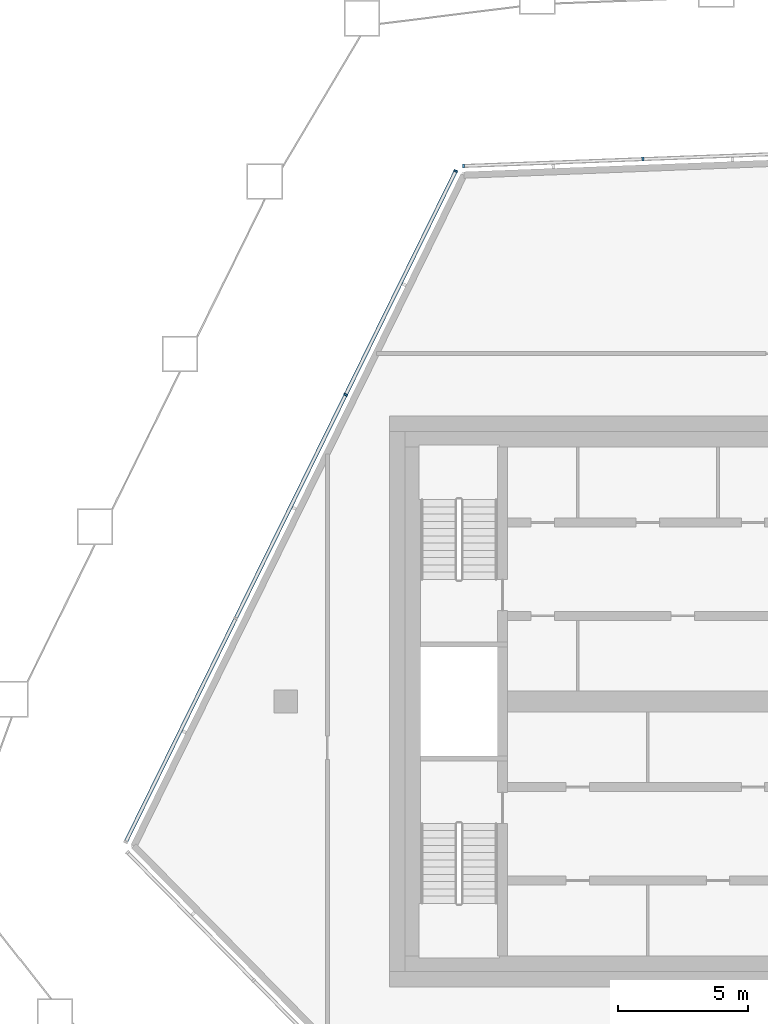
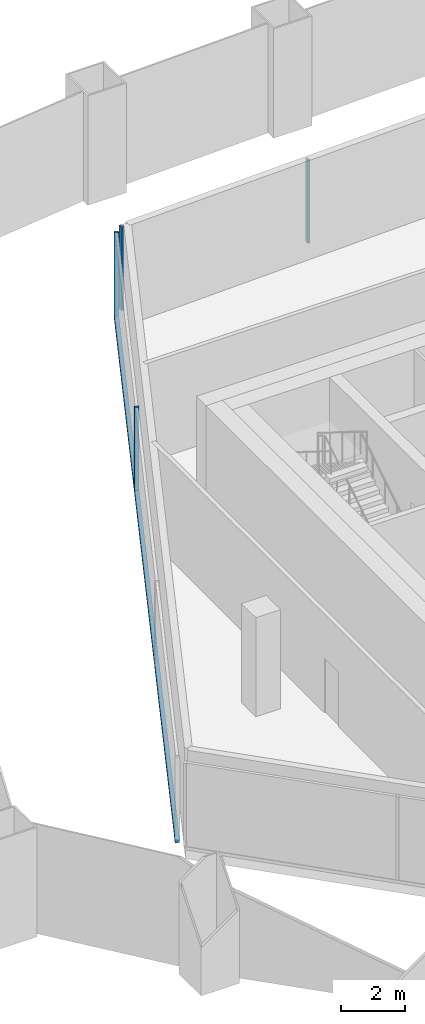
# One storey, part 5 of 18: 5 members, 2 elements without a shape of their own.
"""IFC4 building model written with IfcOpenShell, lengths in metres."""

from ifc_helpers import new_model, si_unit, direction, frame, origin, origin_2d, place, context, subcontext, project, spatial, rectangle, extrude, material, layer, layer_set, material_profile, profile_set, type_object, element, aggregate, save


model = new_model("IFC4")

# Units and contexts
model_context = context("Model", 3, precision=1e-05, world=origin(), true_north=direction((0.0, 1.0)))
body_context = subcontext(model_context, "Body", "Model", "MODEL_VIEW")
ifc_project = project(units=[si_unit("LENGTHUNIT", "METRE"), si_unit("AREAUNIT", "SQUARE_METRE"), si_unit("VOLUMEUNIT", "CUBIC_METRE"), si_unit("PLANEANGLEUNIT", "RADIAN"), si_unit("MASSUNIT", "GRAM", prefix="KILO")], contexts=[model_context])

# Site, building, storey
site_placement = place(None, origin())
site = spatial("IfcSite", under=ifc_project, at=site_placement, CompositionType="ELEMENT")
building_placement = place(site_placement, origin())
building = spatial("IfcBuilding", under=site, at=building_placement, Name="Dongbaek Canopy Tower", CompositionType="ELEMENT")
storey_placement = place(building_placement, frame((0.0, 0.0, 363.199951171875)))
storey = spatial("IfcBuildingStorey", under=building, at=storey_placement, Name="L78", CompositionType="ELEMENT", Elevation=363.199951171875)

# Curtain wall, members
ifc_material_1 = material(Name="Aluminium 6063-T6 pale anodised", Category="aluminium")
ifc_layer = layer(ifc_material_1, 0.14990234375)
ifc_layer_set = layer_set([ifc_layer], Name="CW-7 louvre curtain wall")
curtain_wall_type = type_object("IfcCurtainWallType", Name="CW-7 louvre curtain wall", PredefinedType="NOTDEFINED", material=ifc_layer_set)
curtain_wall_1_placement = place(storey_placement, origin())
curtain_wall_1 = element("IfcCurtainWall", 1, at=curtain_wall_1_placement, inside=storey, type_object=curtain_wall_type, Name="CW-7 louvre wall L78 F3", PredefinedType="NOTDEFINED")
ifc_material_2 = material(Name="Aluminium 6063-T6 pale anodised", Category="aluminium")
ifc_material_profile_1 = material_profile(ifc_material_2, rectangle(XDim=0.14990234375, YDim=0.080078125, at=origin_2d()), Name="CW-7 mullion 80 x 150")
ifc_profile_set_1 = profile_set([ifc_material_profile_1], Name="Aluminium 6063-T6 pale anodised")
member_type_1 = type_object("IfcMemberType", Name="CW-7 mullion 80 x 150", PredefinedType="MULLION", material=ifc_profile_set_1)
member_1_placement = place(storey_placement, frame((-4.24462890625, 20.893798828125, 0.300048828125), z_axis=(0.0, 0.0, 1.0), x_axis=(-0.038231979514, 0.999268890611, 0.0)))
member_1 = element("IfcMember", 2, at=member_1_placement, type_object=member_type_1, Name="CW-7 mullion L78 F3.1.3", PredefinedType="MULLION", context=body_context, shape_type="SweptSolid", body=[
    extrude(rectangle(XDim=0.14990234375, YDim=0.080078125, at=origin_2d()), origin(), (0.0, 0.0, 1.0), 3.199951171875),
])
member_2_placement = place(storey_placement, frame((-11.15185546875, 20.62939453125, 0.300048828125), z_axis=(0.0, 0.0, 1.0), x_axis=(-0.038231979514, 0.999268890611, 0.0)))
member_2 = element("IfcMember", 3, at=member_2_placement, type_object=member_type_1, Name="CW-7 mullion L78 F3.1.4", PredefinedType="MULLION", context=body_context, shape_type="SweptSolid", body=[
    extrude(rectangle(XDim=0.14990234375, YDim=0.080078125, at=origin_2d()), origin(), (0.0, 0.0, 1.0), 3.199951171875),
])
aggregate(curtain_wall_1, [member_1, member_2])

curtain_wall_2_placement = place(storey_placement, origin())
curtain_wall_2 = element("IfcCurtainWall", 4, at=curtain_wall_2_placement, inside=storey, type_object=curtain_wall_type, Name="CW-7 louvre wall L78 F4", PredefinedType="NOTDEFINED")
member_3_placement = place(storey_placement, frame((-11.452392578125, 20.43408203125, 0.300048828125), z_axis=(0.0, 0.0, 1.0), x_axis=(-0.897339163834, 0.441341619439, 0.0)))
member_3 = element("IfcMember", 5, at=member_3_placement, type_object=member_type_1, Name="CW-7 mullion L78 F4.1.1", PredefinedType="MULLION", context=body_context, shape_type="SweptSolid", body=[
    extrude(rectangle(XDim=0.14990234375, YDim=0.080078125, at=origin_2d()), origin(), (0.0, 0.0, 1.0), 3.199951171875),
])
member_4_placement = place(storey_placement, frame((-15.690185546875, 11.818359375, 0.300048828125), z_axis=(0.0, 0.0, 1.0), x_axis=(-0.897339163834, 0.441341619439, 0.0)))
member_4 = element("IfcMember", 6, at=member_4_placement, type_object=member_type_1, Name="CW-7 mullion L78 F4.1.2", PredefinedType="MULLION", context=body_context, shape_type="SweptSolid", body=[
    extrude(rectangle(XDim=0.14990234375, YDim=0.080078125, at=origin_2d()), origin(), (0.0, 0.0, 1.0), 3.199951171875),
])
ifc_material_3 = material(Name="Aluminium 6063-T6 pale anodised", Category="aluminium")
ifc_material_profile_2 = material_profile(ifc_material_3, rectangle(XDim=0.14990234375, YDim=0.1201171875, at=origin_2d()), Name="CW-7 transom 120 x 150")
ifc_profile_set_2 = profile_set([ifc_material_profile_2], Name="Aluminium 6063-T6 pale anodised")
member_type_2 = type_object("IfcMemberType", Name="CW-7 transom 120 x 150", PredefinedType="USERDEFINED", material=ifc_profile_set_2)
member_5_placement = place(storey_placement, frame((-11.452392578125, 20.43408203125, 0.239990234375), z_axis=(-0.441345612399, -0.897337199951, 0.0), x_axis=(0.897337199951, -0.441345612399, 0.0)))
member_5 = element("IfcMember", 7, at=member_5_placement, type_object=member_type_2, Name="CW-7 transom L78 F4.1", ObjectType="TRANSOM", PredefinedType="USERDEFINED", context=body_context, shape_type="SweptSolid", body=[
    extrude(rectangle(XDim=0.14990234375, YDim=0.1201171875, at=origin_2d()), origin(), (0.0, 0.0, 1.0), 28.804931640625),
])
aggregate(curtain_wall_2, [member_5, member_3, member_4])

save(model, "model.ifc")
